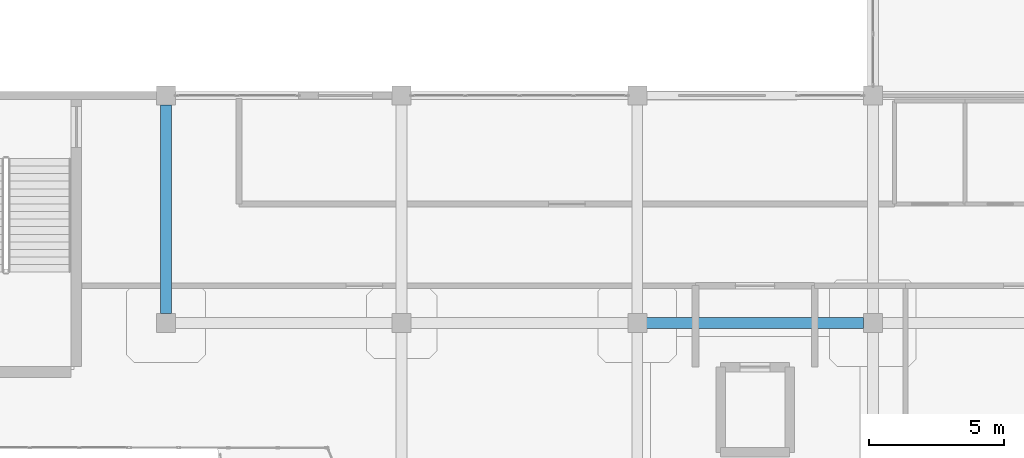
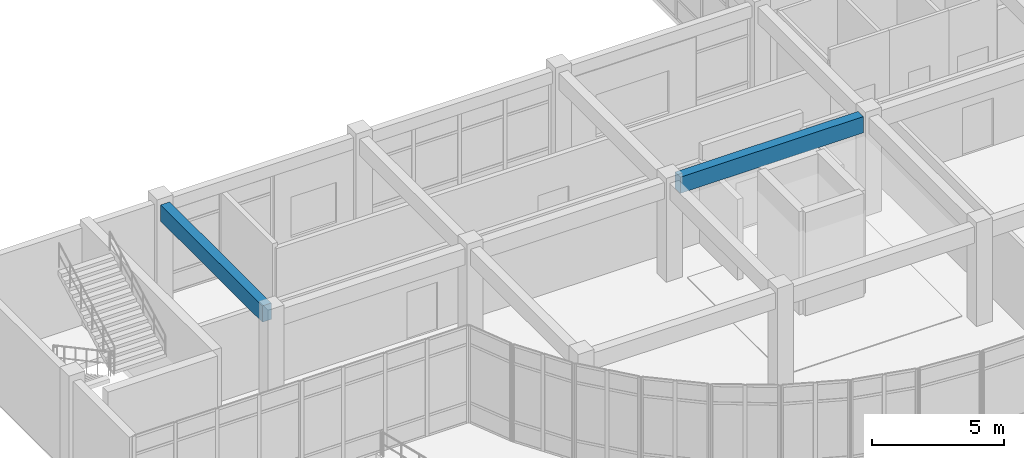
# One storey, part 7 of 64: 2 beams.
"""IFC4 building model written with IfcOpenShell, lengths in metres."""

from ifc_helpers import new_model, si_unit, derived_unit, direction, frame, origin, origin_2d, place, context, subcontext, project, spatial, rectangle, extrude, material, material_profile, profile_set, type_object, element, save


model = new_model("IFC4")

# Units and contexts
model_context = context("Model", 3, precision=1e-05, world=origin(), true_north=direction((0.0, 1.0)))
body_context = subcontext(model_context, "Body", "Model", "MODEL_VIEW")
ifc_project = project(units=[si_unit("LENGTHUNIT", "METRE"), si_unit("AREAUNIT", "SQUARE_METRE"), si_unit("VOLUMEUNIT", "CUBIC_METRE"), si_unit("PLANEANGLEUNIT", "RADIAN"), si_unit("MASSUNIT", "GRAM", prefix="KILO"), derived_unit("THERMALTRANSMITTANCEUNIT", [(si_unit("MASSUNIT", "GRAM", prefix="KILO"), 1), (si_unit("TIMEUNIT", "SECOND"), -3), (si_unit("THERMODYNAMICTEMPERATUREUNIT", "KELVIN"), -1)])], contexts=[model_context])

# Site, building, storey
site_placement = place(None, origin())
site = spatial("IfcSite", under=ifc_project, at=site_placement, CompositionType="ELEMENT")
building_placement = place(site_placement, origin())
building = spatial("IfcBuilding", under=site, at=building_placement, Name="Qinzheling Arcade Emporium", CompositionType="ELEMENT")
storey_placement = place(building_placement, frame((0.0, 0.0, 31.5)))
storey = spatial("IfcBuildingStorey", under=building, at=storey_placement, Name="L07", CompositionType="ELEMENT", Elevation=31.5)

# Beams
ifc_material = material(Name="Concrete C40", Category="concrete")
ifc_material_profile = material_profile(ifc_material, rectangle(XDim=0.39990234375, YDim=0.75, at=origin_2d()), Name="RC 400x750", Category="concrete")
ifc_profile_set = profile_set([ifc_material_profile], Name="Concrete C40")
beam_type = type_object("IfcBeamType", Name="RC Interior Tie Beam 400x750 C40", PredefinedType="BEAM", material=ifc_profile_set)
beam_1_placement = place(storey_placement, frame((26.449951171875, 33.60009765625, 4.14501953125), z_axis=(1.0, 0.0, 0.0), x_axis=(0.0, 1.0, 0.0)))
element("IfcBeam", 1, at=beam_1_placement, inside=storey, type_object=beam_type, Name="Beam BM-L07-X-E-4", PredefinedType="BEAM", context=body_context, shape_type="SweptSolid", body=[
    extrude(rectangle(XDim=0.39990234375, YDim=0.75, at=origin_2d()), origin(), (0.0, 0.0, 1.0), 8.0),
])
beam_2_placement = place(storey_placement, frame((8.699951171875, 33.949951171875, 4.14501953125), z_axis=(0.0, 1.0, 0.0), x_axis=(-1.0, 0.0, 0.0)))
element("IfcBeam", 2, at=beam_2_placement, inside=storey, type_object=beam_type, Name="Beam BM-L07-Y-2-E", PredefinedType="BEAM", context=body_context, shape_type="SweptSolid", body=[
    extrude(rectangle(XDim=0.39990234375, YDim=0.75, at=origin_2d()), origin(), (0.0, 0.0, 1.0), 7.699951171875),
])

save(model, "model.ifc")
